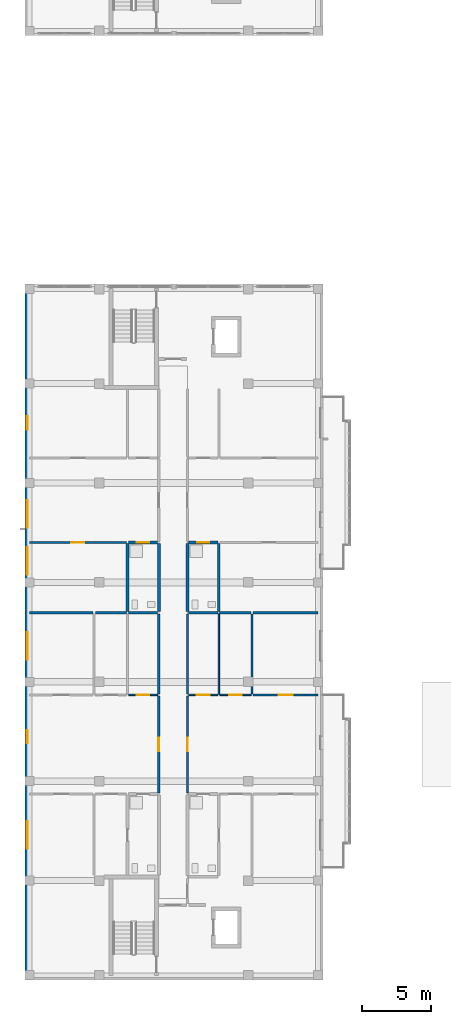
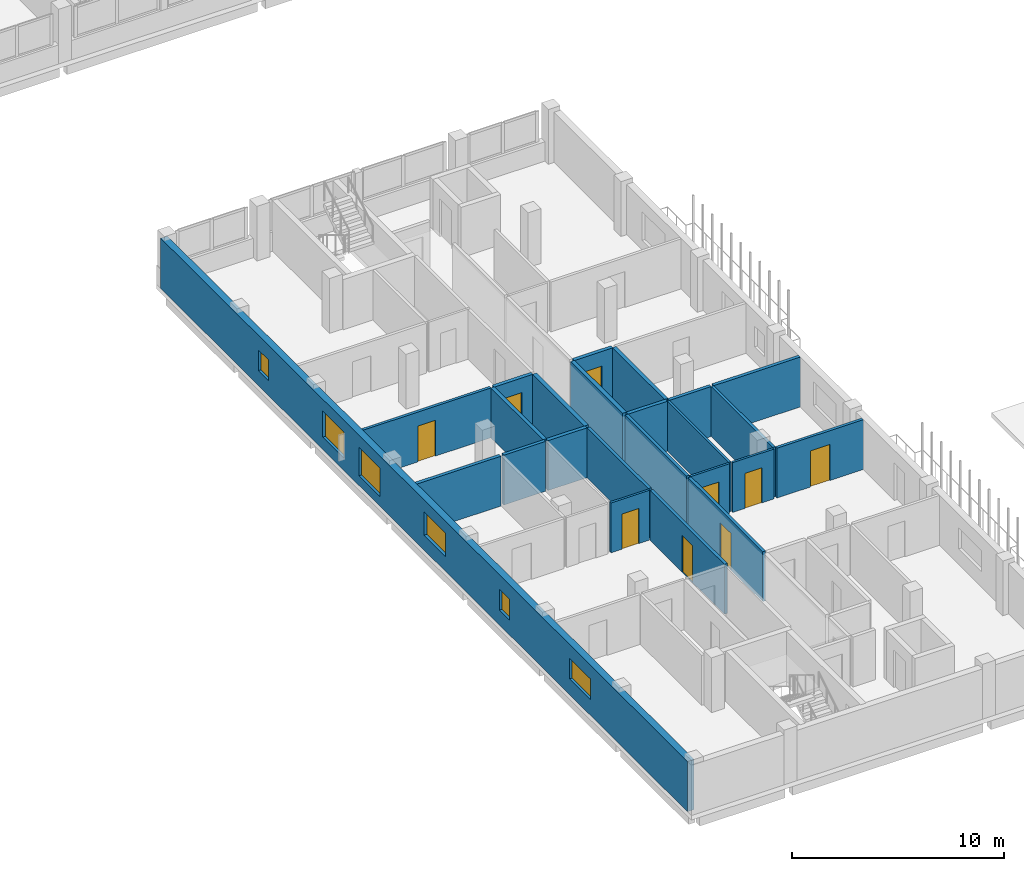
# One storey, part 25 of 51: 24 walls, 9 doors, 6 windows, 15 openings.
"""IFC4 building model written with IfcOpenShell, lengths in metres."""

from ifc_helpers import new_model, si_unit, derived_unit, direction, frame, frame_2d, origin, place, context, subcontext, project, spatial, rectangle, extrude, material, layer, layer_set, type_object, element, fill, save


model = new_model("IFC4")

# Units and contexts
model_context = context("Model", 3, precision=1e-05, world=origin(), true_north=direction((0.0, 1.0)))
body_context = subcontext(model_context, "Body", "Model", "MODEL_VIEW")
ifc_project = project(units=[si_unit("LENGTHUNIT", "METRE"), si_unit("AREAUNIT", "SQUARE_METRE"), si_unit("VOLUMEUNIT", "CUBIC_METRE"), si_unit("PLANEANGLEUNIT", "RADIAN"), si_unit("MASSUNIT", "GRAM", prefix="KILO"), derived_unit("THERMALTRANSMITTANCEUNIT", [(si_unit("MASSUNIT", "GRAM", prefix="KILO"), 1), (si_unit("TIMEUNIT", "SECOND"), -3), (si_unit("THERMODYNAMICTEMPERATUREUNIT", "KELVIN"), -1)])], contexts=[model_context])

# Site, building, storey
site_placement = place(None, origin())
site = spatial("IfcSite", under=ifc_project, at=site_placement, CompositionType="ELEMENT")
building_placement = place(site_placement, origin())
building = spatial("IfcBuilding", under=site, at=building_placement, Name="Ochrekiln Boulevard Commons", CompositionType="ELEMENT")
storey_placement = place(building_placement, frame((0.0, 0.0, 15.22509765625)))
storey = spatial("IfcBuildingStorey", under=building, at=storey_placement, Name="L04", CompositionType="ELEMENT", Elevation=15.22509765625)

# Wall, openings, windows
ifc_material_1 = material(Name="Iron-spot brown clinker brick masonry ASTM C216 Grade SW", Category="masonry")
ifc_layer_1 = layer(ifc_material_1, 0.364990234375)
ifc_layer_set_1 = layer_set([ifc_layer_1], Name="Iron-spot brown clinker brick masonry ASTM C216 Grade SW")
wall_type_1 = type_object("IfcWallType", Name="WL-EXT-IRON-365", PredefinedType="SOLIDWALL", material=ifc_layer_set_1)
wall_1_placement = place(storey_placement, frame((0.1826171875, 0.364990234375, 0.0), z_axis=(0.0, 0.0, 1.0), x_axis=(0.0, 1.0, 0.0)))
wall_1 = element("IfcWall", 1, at=wall_1_placement, inside=storey, type_object=wall_type_1, Name="Block D L04 W Exterior Wall", PredefinedType="SOLIDWALL", context=body_context, shape_type="SweptSolid", body=[
    extrude(rectangle(XDim=49.669921875, YDim=0.364990234375, at=frame_2d((24.8349609375, 0.0))), origin(), (0.0, 0.0, 1.0), 2.889892578125),
])
opening_1_placement = place(wall_1_placement, frame((16.781982421875, 0.0, 0.85009765625)))
opening_1 = element("IfcOpeningElement", 2, at=opening_1_placement, cuts=wall_1, Name="Opening W-01", PredefinedType="OPENING", context=body_context, shape_type="SweptSolid", body=[
    extrude(rectangle(XDim=0.949951171875, YDim=1.199951171875, at=frame_2d((0.47509765625, 0.60009765625))), frame((0.0, 0.1923828125, 0.0), z_axis=(0.0, -1.0, 0.0), x_axis=(1.0, 0.0, 0.0)), (0.0, 0.0, 1.0), 0.385009765625),
])
opening_2_placement = place(wall_1_placement, frame((9.126953125, 0.0, 0.89990234375)))
opening_2 = element("IfcOpeningElement", 3, at=opening_2_placement, cuts=wall_1, Name="Opening W-46", PredefinedType="OPENING", context=body_context, shape_type="SweptSolid", body=[
    extrude(rectangle(XDim=2.0, YDim=1.199951171875, at=frame_2d((1.0, 0.60009765625))), frame((0.0, 0.1923828125, 0.0), z_axis=(0.0, -1.0, 0.0), x_axis=(1.0, 0.0, 0.0)), (0.0, 0.0, 1.0), 0.385009765625),
])
opening_3_placement = place(wall_1_placement, frame((22.8291015625, 0.0, 0.85498046875)))
opening_3 = element("IfcOpeningElement", 4, at=opening_3_placement, cuts=wall_1, Name="Opening W-47", PredefinedType="OPENING", context=body_context, shape_type="SweptSolid", body=[
    extrude(rectangle(XDim=2.0, YDim=1.35009765625, at=frame_2d((1.0, 0.675048828125))), frame((0.0, 0.1923828125, 0.0), z_axis=(0.0, -1.0, 0.0), x_axis=(1.0, 0.0, 0.0)), (0.0, 0.0, 1.0), 0.385009765625),
])
opening_4_placement = place(wall_1_placement, frame((32.385009765625, 0.0, 0.705078125)))
opening_4 = element("IfcOpeningElement", 5, at=opening_4_placement, cuts=wall_1, Name="Opening W-48", PredefinedType="OPENING", context=body_context, shape_type="SweptSolid", body=[
    extrude(rectangle(XDim=2.0, YDim=1.5, at=frame_2d((1.0, 0.75))), frame((0.0, 0.1923828125, 0.0), z_axis=(0.0, -1.0, 0.0), x_axis=(1.0, 0.0, 0.0)), (0.0, 0.0, 1.0), 0.385009765625),
])
opening_5_placement = place(wall_1_placement, frame((28.97509765625, 0.0, 0.554931640625)))
opening_5 = element("IfcOpeningElement", 6, at=opening_5_placement, cuts=wall_1, Name="Opening W-49", PredefinedType="OPENING", context=body_context, shape_type="SweptSolid", body=[
    extrude(rectangle(XDim=2.0, YDim=1.64990234375, at=frame_2d((1.0, 0.824951171875))), frame((0.0, 0.1923828125, 0.0), z_axis=(0.0, -1.0, 0.0), x_axis=(1.0, 0.0, 0.0)), (0.0, 0.0, 1.0), 0.385009765625),
])
opening_6_placement = place(wall_1_placement, frame((39.50390625, 0.0, 0.85009765625)))
opening_6 = element("IfcOpeningElement", 7, at=opening_6_placement, cuts=wall_1, Name="Opening W-01", PredefinedType="OPENING", context=body_context, shape_type="SweptSolid", body=[
    extrude(rectangle(XDim=0.949951171875, YDim=1.199951171875, at=frame_2d((0.47509765625, 0.60009765625))), frame((0.0, 0.1923828125, 0.0), z_axis=(0.0, -1.0, 0.0), x_axis=(1.0, 0.0, 0.0)), (0.0, 0.0, 1.0), 0.385009765625),
])
ifc_material_2 = material(Name="Thermally broken aluminium-clad oak frame", Category="aluminium")
window_type_1 = type_object("IfcWindowType", Name="WIN-EXT-01", PartitioningType="SINGLE_PANEL", PredefinedType="WINDOW", material=ifc_material_2)
window_1_placement = place(opening_1_placement, origin())
window_1 = element("IfcWindow", 8, at=window_1_placement, inside=storey, type_object=window_type_1, Name="Block D L04 Punched Masonry Window W-01", OverallHeight=1.199951171875, OverallWidth=0.949951171875, PartitioningType="SINGLE_PANEL", PredefinedType="WINDOW", context=body_context, shape_type="SweptSolid", body=[
    extrude(rectangle(XDim=0.949951171875, YDim=1.199951171875, at=frame_2d((0.47509765625, 0.60009765625))), frame((0.0, 0.030029296875, 0.0), z_axis=(0.0, -1.0, 0.0), x_axis=(1.0, 0.0, 0.0)), (0.0, 0.0, 1.0), 0.06005859375),
])
fill(opening_1, window_1)
window_2_placement = place(opening_6_placement, origin())
window_2 = element("IfcWindow", 9, at=window_2_placement, inside=storey, type_object=window_type_1, Name="Block D L04 Punched Masonry Window W-01", OverallHeight=1.199951171875, OverallWidth=0.949951171875, PartitioningType="SINGLE_PANEL", PredefinedType="WINDOW", context=body_context, shape_type="SweptSolid", body=[
    extrude(rectangle(XDim=0.949951171875, YDim=1.199951171875, at=frame_2d((0.47509765625, 0.60009765625))), frame((0.0, 0.030029296875, 0.0), z_axis=(0.0, -1.0, 0.0), x_axis=(1.0, 0.0, 0.0)), (0.0, 0.0, 1.0), 0.06005859375),
])
fill(opening_6, window_2)
window_type_2 = type_object("IfcWindowType", Name="WIN-EXT-46", PartitioningType="DOUBLE_PANEL_VERTICAL", PredefinedType="WINDOW", material=ifc_material_2)
window_3_placement = place(opening_2_placement, origin())
window_3 = element("IfcWindow", 10, at=window_3_placement, inside=storey, type_object=window_type_2, Name="Block D L04 Punched Masonry Window W-46", OverallHeight=1.199951171875, OverallWidth=2.0, PartitioningType="DOUBLE_PANEL_VERTICAL", PredefinedType="WINDOW", context=body_context, shape_type="SweptSolid", body=[
    extrude(rectangle(XDim=2.0, YDim=1.199951171875, at=frame_2d((1.0, 0.60009765625))), frame((0.0, 0.030029296875, 0.0), z_axis=(0.0, -1.0, 0.0), x_axis=(1.0, 0.0, 0.0)), (0.0, 0.0, 1.0), 0.06005859375),
])
fill(opening_2, window_3)
window_type_3 = type_object("IfcWindowType", Name="WIN-EXT-47", PartitioningType="DOUBLE_PANEL_VERTICAL", PredefinedType="WINDOW", material=ifc_material_2)
window_4_placement = place(opening_3_placement, origin())
window_4 = element("IfcWindow", 11, at=window_4_placement, inside=storey, type_object=window_type_3, Name="Block D L04 Punched Masonry Window W-47", OverallHeight=1.35009765625, OverallWidth=2.0, PartitioningType="DOUBLE_PANEL_VERTICAL", PredefinedType="WINDOW", context=body_context, shape_type="SweptSolid", body=[
    extrude(rectangle(XDim=2.0, YDim=1.35009765625, at=frame_2d((1.0, 0.675048828125))), frame((0.0, 0.030029296875, 0.0), z_axis=(0.0, -1.0, 0.0), x_axis=(1.0, 0.0, 0.0)), (0.0, 0.0, 1.0), 0.06005859375),
])
fill(opening_3, window_4)
window_type_4 = type_object("IfcWindowType", Name="WIN-EXT-48", PartitioningType="DOUBLE_PANEL_VERTICAL", PredefinedType="WINDOW", material=ifc_material_2)
window_5_placement = place(opening_4_placement, origin())
window_5 = element("IfcWindow", 12, at=window_5_placement, inside=storey, type_object=window_type_4, Name="Block D L04 Punched Masonry Window W-48", OverallHeight=1.5, OverallWidth=2.0, PartitioningType="DOUBLE_PANEL_VERTICAL", PredefinedType="WINDOW", context=body_context, shape_type="SweptSolid", body=[
    extrude(rectangle(XDim=2.0, YDim=1.5, at=frame_2d((1.0, 0.75))), frame((0.0, 0.030029296875, 0.0), z_axis=(0.0, -1.0, 0.0), x_axis=(1.0, 0.0, 0.0)), (0.0, 0.0, 1.0), 0.06005859375),
])
fill(opening_4, window_5)
window_type_5 = type_object("IfcWindowType", Name="WIN-EXT-49", PartitioningType="DOUBLE_PANEL_VERTICAL", PredefinedType="WINDOW", material=ifc_material_2)
window_6_placement = place(opening_5_placement, origin())
window_6 = element("IfcWindow", 13, at=window_6_placement, inside=storey, type_object=window_type_5, Name="Block D L04 Punched Masonry Window W-49", OverallHeight=1.64990234375, OverallWidth=2.0, PartitioningType="DOUBLE_PANEL_VERTICAL", PredefinedType="WINDOW", context=body_context, shape_type="SweptSolid", body=[
    extrude(rectangle(XDim=2.0, YDim=1.64990234375, at=frame_2d((1.0, 0.824951171875))), frame((0.0, 0.030029296875, 0.0), z_axis=(0.0, -1.0, 0.0), x_axis=(1.0, 0.0, 0.0)), (0.0, 0.0, 1.0), 0.06005859375),
])
fill(opening_5, window_6)

# Wall
ifc_material_3 = material(Name="Moisture-resistant cementitious tile backer wall")
ifc_layer_2 = layer(ifc_material_3, 0.199951171875)
ifc_layer_set_2 = layer_set([ifc_layer_2], Name="Moisture-resistant cementitious tile backer wall")
wall_type_2 = type_object("IfcWallType", Name="WL-PLM-200", PredefinedType="PLUMBINGWALL", material=ifc_layer_set_2)
wall_2_placement = place(storey_placement, frame((7.5, 26.60791015625, 0.0), z_axis=(0.0, 0.0, 1.0), x_axis=(1.0, 0.0, 0.0)))
element("IfcWall", 14, at=wall_2_placement, inside=storey, type_object=wall_type_2, Name="L04 Interior Wall W-PW200", PredefinedType="PLUMBINGWALL", context=body_context, shape_type="SweptSolid", body=[
    extrude(rectangle(XDim=2.1279296875, YDim=0.199951171875, at=frame_2d((1.06396484375, 0.0))), origin(), (0.0, 0.0, 1.0), 2.869873046875),
])

# Wall, opening, door
wall_3_placement = place(storey_placement, frame((7.52001953125, 31.68994140625, 0.0), z_axis=(0.0, 0.0, 1.0), x_axis=(1.0, 0.0, 0.0)))
wall_3 = element("IfcWall", 15, at=wall_3_placement, inside=storey, type_object=wall_type_2, Name="L04 Interior Wall W-PW200", PredefinedType="PLUMBINGWALL", context=body_context, shape_type="SweptSolid", body=[
    extrude(rectangle(XDim=2.10791015625, YDim=0.199951171875, at=frame_2d((1.053955078125, 0.0))), origin(), (0.0, 0.0, 1.0), 2.869873046875),
])
opening_7_placement = place(wall_3_placement, frame((0.60498046875, 0.0, 0.0)))
opening_7 = element("IfcOpeningElement", 16, at=opening_7_placement, cuts=wall_3, Name="Opening D-L04-662", PredefinedType="OPENING", context=body_context, shape_type="SweptSolid", body=[
    extrude(rectangle(XDim=0.889892578125, YDim=2.030029296875, at=frame_2d((0.44482421875, 1.01513671875))), frame((0.0, 0.10986328125, 0.0), z_axis=(0.0, -1.0, 0.0), x_axis=(1.0, 0.0, 0.0)), (0.0, 0.0, 1.0), 0.219970703125),
])
ifc_material_4 = material(Name="Solid core architectural oak door leaf")
door_type_1 = type_object("IfcDoorType", Name="DR-INT-BTH-089", OperationType="NOTDEFINED", PredefinedType="DOOR", material=ifc_material_4)
door_1_placement = place(opening_7_placement, frame((0.889892578125, 0.0, 0.0), z_axis=(0.0, 0.0, 1.0), x_axis=(-1.0, 0.0, 0.0)))
door_1 = element("IfcDoor", 17, at=door_1_placement, inside=storey, type_object=door_type_1, Name="L04 Interior Door to Apartment Bathroom", OperationType="SINGLE_SWING_RIGHT", OverallHeight=2.030029296875, OverallWidth=0.889892578125, PredefinedType="DOOR", context=body_context, shape_type="SweptSolid", body=[
    extrude(rectangle(XDim=0.889892578125, YDim=2.030029296875, at=frame_2d((0.44482421875, 1.01513671875))), frame((0.0, 0.02490234375, 0.0), z_axis=(0.0, -1.0, 0.0), x_axis=(1.0, 0.0, 0.0)), (0.0, 0.0, 1.0), 0.050048828125),
])
fill(opening_7, door_1)

# Walls
wall_4_placement = place(storey_placement, frame((7.43994140625, 26.697998046875, 0.0), z_axis=(0.0, 0.0, 1.0), x_axis=(0.0, 1.0, 0.0)))
element("IfcWall", 18, at=wall_4_placement, inside=storey, type_object=wall_type_2, Name="L04 Interior Wall W-PW200", PredefinedType="PLUMBINGWALL", context=body_context, shape_type="SweptSolid", body=[
    extrude(rectangle(XDim=4.9169921875, YDim=0.199951171875, at=frame_2d((2.45849609375, 0.0))), origin(), (0.0, 0.0, 1.0), 2.869873046875),
])
wall_5_placement = place(storey_placement, frame((11.8720703125, 26.60791015625, 0.0), z_axis=(0.0, 0.0, 1.0), x_axis=(1.0, 0.0, 0.0)))
element("IfcWall", 19, at=wall_5_placement, inside=storey, type_object=wall_type_2, Name="L04 Interior Wall W-PW200", PredefinedType="PLUMBINGWALL", context=body_context, shape_type="SweptSolid", body=[
    extrude(rectangle(XDim=2.1279296875, YDim=0.199951171875, at=frame_2d((1.06396484375, 0.0))), origin(), (0.0, 0.0, 1.0), 2.869873046875),
])

# Wall, opening, door
wall_6_placement = place(storey_placement, frame((11.8720703125, 31.68994140625, 0.0), z_axis=(0.0, 0.0, 1.0), x_axis=(1.0, 0.0, 0.0)))
wall_6 = element("IfcWall", 20, at=wall_6_placement, inside=storey, type_object=wall_type_2, Name="L04 Interior Wall W-PW200", PredefinedType="PLUMBINGWALL", context=body_context, shape_type="SweptSolid", body=[
    extrude(rectangle(XDim=2.10791015625, YDim=0.199951171875, at=frame_2d((1.053955078125, 0.0))), origin(), (0.0, 0.0, 1.0), 2.869873046875),
])
opening_8_placement = place(wall_6_placement, frame((0.613037109375, 0.0, 0.0)))
opening_8 = element("IfcOpeningElement", 21, at=opening_8_placement, cuts=wall_6, Name="Opening D-L04-673", PredefinedType="OPENING", context=body_context, shape_type="SweptSolid", body=[
    extrude(rectangle(XDim=0.889892578125, YDim=2.030029296875, at=frame_2d((0.44482421875, 1.01513671875))), frame((0.0, 0.10986328125, 0.0), z_axis=(0.0, -1.0, 0.0), x_axis=(1.0, 0.0, 0.0)), (0.0, 0.0, 1.0), 0.219970703125),
])
door_2_placement = place(opening_8_placement, frame((0.889892578125, 0.0, 0.0), z_axis=(0.0, 0.0, 1.0), x_axis=(-1.0, 0.0, 0.0)))
door_2 = element("IfcDoor", 22, at=door_2_placement, inside=storey, type_object=door_type_1, Name="L04 Interior Door to Apartment Bathroom", OperationType="SINGLE_SWING_LEFT", OverallHeight=2.030029296875, OverallWidth=0.889892578125, PredefinedType="DOOR", context=body_context, shape_type="SweptSolid", body=[
    extrude(rectangle(XDim=0.889892578125, YDim=2.030029296875, at=frame_2d((0.44482421875, 1.01513671875))), frame((0.0, 0.02490234375, 0.0), z_axis=(0.0, -1.0, 0.0), x_axis=(1.0, 0.0, 0.0)), (0.0, 0.0, 1.0), 0.050048828125),
])
fill(opening_8, door_2)

# Walls
wall_7_placement = place(storey_placement, frame((14.06005859375, 26.697998046875, 0.0), z_axis=(0.0, 0.0, 1.0), x_axis=(0.0, 1.0, 0.0)))
element("IfcWall", 23, at=wall_7_placement, inside=storey, type_object=wall_type_2, Name="L04 Interior Wall W-PW200", PredefinedType="PLUMBINGWALL", context=body_context, shape_type="SweptSolid", body=[
    extrude(rectangle(XDim=4.9169921875, YDim=0.199951171875, at=frame_2d((2.45849609375, 0.0))), origin(), (0.0, 0.0, 1.0), 2.869873046875),
])
ifc_layer_3 = layer(ifc_material_3, 0.219970703125)
ifc_layer_set_3 = layer_set([ifc_layer_3], Name="Moisture-resistant cementitious tile backer wall")
wall_type_3 = type_object("IfcWallType", Name="WL-PLM-220", PredefinedType="PLUMBINGWALL", material=ifc_layer_set_3)
for number, where, z_axis, x_axis, name in (
    (24, (9.7099609375, 26.697998046875, 0.0), (0.0, 0.0, 1.0), (0.0, 1.0, 0.0), "L04 Interior Wall W-PW220"),
    (25, (11.7900390625, 26.697998046875, 0.0), (0.0, 0.0, 1.0), (0.0, 1.0, 0.0), "L04 Interior Wall W-PW220"),
):
    element("IfcWall", number, at=place(storey_placement, frame(where, z_axis=z_axis, x_axis=x_axis)), inside=storey, type_object=wall_type_3, Name=name, PredefinedType="PLUMBINGWALL", context=body_context, shape_type="SweptSolid", body=[
        extrude(rectangle(XDim=4.912109375, YDim=0.219970703125, at=frame_2d((2.4560546875, 0.0))), origin(), (0.0, 0.0, 1.0), 2.869873046875),
    ])

# Wall, opening, door
ifc_material_5 = material(Name="Fire-rated Type X gypsum board on steel studs", Category="steel")
ifc_layer_4 = layer(ifc_material_5, 0.1650390625)
ifc_layer_set_4 = layer_set([ifc_layer_4], Name="Fire-rated Type X gypsum board on steel studs")
wall_type_4 = type_object("IfcWallType", Name="WL-PT-CORR-165", PredefinedType="PARTITIONING", material=ifc_layer_set_4)
wall_8_placement = place(storey_placement, frame((9.7099609375, 13.544921875, 0.0), z_axis=(0.0, 0.0, 1.0), x_axis=(0.0, 1.0, 0.0)))
wall_8 = element("IfcWall", 26, at=wall_8_placement, inside=storey, type_object=wall_type_4, Name="L04 Interior Wall W-PC165", PredefinedType="PARTITIONING", context=body_context, shape_type="SweptSolid", body=[
    extrude(rectangle(XDim=7.028076171875, YDim=0.1650390625, at=frame_2d((3.51416015625, 0.0))), origin(), (0.0, 0.0, 1.0), 2.869873046875),
])
opening_9_placement = place(wall_8_placement, frame((3.009033203125, 0.0, 0.0)))
opening_9 = element("IfcOpeningElement", 27, at=opening_9_placement, cuts=wall_8, Name="Opening D-L04-651", PredefinedType="OPENING", context=body_context, shape_type="SweptSolid", body=[
    extrude(rectangle(XDim=1.010009765625, YDim=2.110107421875, at=frame_2d((0.5048828125, 1.05517578125))), frame((0.0, 0.092529296875, 0.0), z_axis=(0.0, -1.0, 0.0), x_axis=(1.0, 0.0, 0.0)), (0.0, 0.0, 1.0), 0.18505859375),
])
door_type_2 = type_object("IfcDoorType", Name="DR-INT-APT-101", OperationType="NOTDEFINED", PredefinedType="DOOR", material=ifc_material_4)
door_3_placement = place(opening_9_placement, origin())
door_3 = element("IfcDoor", 28, at=door_3_placement, inside=storey, type_object=door_type_2, Name="L04 Interior Door to Two-Bedroom Apartment Living Room", OperationType="SINGLE_SWING_LEFT", OverallHeight=2.110107421875, OverallWidth=1.010009765625, PredefinedType="DOOR", context=body_context, shape_type="SweptSolid", body=[
    extrude(rectangle(XDim=1.010009765625, YDim=2.110107421875, at=frame_2d((0.5048828125, 1.05517578125))), frame((0.0, 0.02490234375, 0.0), z_axis=(0.0, -1.0, 0.0), x_axis=(1.0, 0.0, 0.0)), (0.0, 0.0, 1.0), 0.050048828125),
])
fill(opening_9, door_3)

# Wall
wall_9_placement = place(storey_placement, frame((9.7099609375, 20.73291015625, 0.0), z_axis=(0.0, 0.0, 1.0), x_axis=(0.0, 1.0, 0.0)))
element("IfcWall", 29, at=wall_9_placement, inside=storey, type_object=wall_type_4, Name="L04 Interior Wall W-PC165", PredefinedType="PARTITIONING", context=body_context, shape_type="SweptSolid", body=[
    extrude(rectangle(XDim=5.78515625, YDim=0.1650390625, at=frame_2d((2.892578125, 0.0))), origin(), (0.0, 0.0, 1.0), 2.869873046875),
])

# Wall, opening, door
wall_10_placement = place(storey_placement, frame((11.7900390625, 13.544921875, 0.0), z_axis=(0.0, 0.0, 1.0), x_axis=(0.0, 1.0, 0.0)))
wall_10 = element("IfcWall", 30, at=wall_10_placement, inside=storey, type_object=wall_type_4, Name="L04 Interior Wall W-PC165", PredefinedType="PARTITIONING", context=body_context, shape_type="SweptSolid", body=[
    extrude(rectangle(XDim=7.028076171875, YDim=0.1650390625, at=frame_2d((3.51416015625, 0.0))), origin(), (0.0, 0.0, 1.0), 2.869873046875),
])
opening_10_placement = place(wall_10_placement, frame((3.009033203125, 0.0, 0.0)))
opening_10 = element("IfcOpeningElement", 31, at=opening_10_placement, cuts=wall_10, Name="Opening D-L04-653", PredefinedType="OPENING", context=body_context, shape_type="SweptSolid", body=[
    extrude(rectangle(XDim=1.010009765625, YDim=2.110107421875, at=frame_2d((0.5048828125, 1.05517578125))), frame((0.0, 0.092529296875, 0.0), z_axis=(0.0, -1.0, 0.0), x_axis=(1.0, 0.0, 0.0)), (0.0, 0.0, 1.0), 0.18505859375),
])
door_4_placement = place(opening_10_placement, frame((1.010009765625, 0.0, 0.0), z_axis=(0.0, 0.0, 1.0), x_axis=(-1.0, 0.0, 0.0)))
door_4 = element("IfcDoor", 32, at=door_4_placement, inside=storey, type_object=door_type_2, Name="L04 Interior Door to Two-Bedroom Apartment Living Room", OperationType="SINGLE_SWING_LEFT", OverallHeight=2.110107421875, OverallWidth=1.010009765625, PredefinedType="DOOR", context=body_context, shape_type="SweptSolid", body=[
    extrude(rectangle(XDim=1.010009765625, YDim=2.110107421875, at=frame_2d((0.5048828125, 1.05517578125))), frame((0.0, 0.02490234375, 0.0), z_axis=(0.0, -1.0, 0.0), x_axis=(1.0, 0.0, 0.0)), (0.0, 0.0, 1.0), 0.050048828125),
])
fill(opening_10, door_4)

# Walls
wall_11_placement = place(storey_placement, frame((11.7900390625, 20.73291015625, 0.0), z_axis=(0.0, 0.0, 1.0), x_axis=(0.0, 1.0, 0.0)))
element("IfcWall", 33, at=wall_11_placement, inside=storey, type_object=wall_type_4, Name="L04 Interior Wall W-PC165", PredefinedType="PARTITIONING", context=body_context, shape_type="SweptSolid", body=[
    extrude(rectangle(XDim=5.78515625, YDim=0.1650390625, at=frame_2d((2.892578125, 0.0))), origin(), (0.0, 0.0, 1.0), 2.869873046875),
])
ifc_layer_5 = layer(ifc_material_5, 0.179931640625)
ifc_layer_set_5 = layer_set([ifc_layer_5], Name="Fire-rated Type X gypsum board on steel studs")
wall_type_5 = type_object("IfcWallType", Name="WL-PT-DEM-180", PredefinedType="PARTITIONING", material=ifc_layer_set_5)
wall_12_placement = place(storey_placement, frame((0.35009765625, 26.60791015625, 0.0), z_axis=(0.0, 0.0, 1.0), x_axis=(1.0, 0.0, 0.0)))
element("IfcWall", 34, at=wall_12_placement, inside=storey, type_object=wall_type_5, Name="L04 Interior Wall W-PD180", PredefinedType="PARTITIONING", context=body_context, shape_type="SweptSolid", body=[
    extrude(rectangle(XDim=4.599853515625, YDim=0.179931640625, at=frame_2d((2.2998046875, 0.0))), origin(), (0.0, 0.0, 1.0), 2.869873046875),
])
wall_13_placement = place(storey_placement, frame((5.110107421875, 26.60791015625, 0.0), z_axis=(0.0, 0.0, 1.0), x_axis=(1.0, 0.0, 0.0)))
element("IfcWall", 35, at=wall_13_placement, inside=storey, type_object=wall_type_5, Name="L04 Interior Wall W-PD180", PredefinedType="PARTITIONING", context=body_context, shape_type="SweptSolid", body=[
    extrude(rectangle(XDim=2.269775390625, YDim=0.179931640625, at=frame_2d((1.134765625, 0.0))), origin(), (0.0, 0.0, 1.0), 2.869873046875),
])
wall_14_placement = place(storey_placement, frame((16.544921875, 26.60791015625, 0.0), z_axis=(0.0, 0.0, 1.0), x_axis=(1.0, 0.0, 0.0)))
element("IfcWall", 36, at=wall_14_placement, inside=storey, type_object=wall_type_5, Name="L04 Interior Wall W-PD180", PredefinedType="PARTITIONING", context=body_context, shape_type="SweptSolid", body=[
    extrude(rectangle(XDim=4.705078125, YDim=0.179931640625, at=frame_2d((2.3525390625, 0.0))), origin(), (0.0, 0.0, 1.0), 2.869873046875),
])
wall_15_placement = place(storey_placement, frame((14.1201171875, 26.60791015625, 0.0), z_axis=(0.0, 0.0, 1.0), x_axis=(1.0, 0.0, 0.0)))
element("IfcWall", 37, at=wall_15_placement, inside=storey, type_object=wall_type_5, Name="L04 Interior Wall W-PD180", PredefinedType="PARTITIONING", context=body_context, shape_type="SweptSolid", body=[
    extrude(rectangle(XDim=2.269775390625, YDim=0.179931640625, at=frame_2d((1.134765625, 0.0))), origin(), (0.0, 0.0, 1.0), 2.869873046875),
])

# Wall, opening, door
ifc_layer_6 = layer(ifc_material_5, 0.1201171875)
ifc_layer_set_6 = layer_set([ifc_layer_6], Name="Fire-rated Type X gypsum board on steel studs")
wall_type_6 = type_object("IfcWallType", Name="WL-PT-LGT-120", PredefinedType="PARTITIONING", material=ifc_layer_set_6)
wall_16_placement = place(storey_placement, frame((7.52001953125, 20.653076171875, 0.0), z_axis=(0.0, 0.0, 1.0), x_axis=(1.0, 0.0, 0.0)))
wall_16 = element("IfcWall", 38, at=wall_16_placement, inside=storey, type_object=wall_type_6, Name="L04 Interior Wall W-PL120", PredefinedType="PARTITIONING", context=body_context, shape_type="SweptSolid", body=[
    extrude(rectangle(XDim=2.10791015625, YDim=0.1201171875, at=frame_2d((1.053955078125, 0.0))), origin(), (0.0, 0.0, 1.0), 2.869873046875),
])
opening_11_placement = place(wall_16_placement, frame((0.590087890625, 0.0, 0.0)))
opening_11 = element("IfcOpeningElement", 39, at=opening_11_placement, cuts=wall_16, Name="Opening D-L04-656", PredefinedType="OPENING", context=body_context, shape_type="SweptSolid", body=[
    extrude(rectangle(XDim=0.919921875, YDim=2.02001953125, at=frame_2d((0.4599609375, 1.010009765625))), frame((0.0, 0.070068359375, 0.0), z_axis=(0.0, -1.0, 0.0), x_axis=(1.0, 0.0, 0.0)), (0.0, 0.0, 1.0), 0.14013671875),
])
door_type_3 = type_object("IfcDoorType", Name="DR-INT-KIT-092", OperationType="NOTDEFINED", PredefinedType="DOOR", material=ifc_material_4)
door_5_placement = place(opening_11_placement, origin())
door_5 = element("IfcDoor", 40, at=door_5_placement, inside=storey, type_object=door_type_3, Name="L04 Interior Door to Apartment Kitchen", OperationType="SINGLE_SWING_RIGHT", OverallHeight=2.02001953125, OverallWidth=0.919921875, PredefinedType="DOOR", context=body_context, shape_type="SweptSolid", body=[
    extrude(rectangle(XDim=0.919921875, YDim=2.02001953125, at=frame_2d((0.4599609375, 1.010009765625))), frame((0.0, 0.02490234375, 0.0), z_axis=(0.0, -1.0, 0.0), x_axis=(1.0, 0.0, 0.0)), (0.0, 0.0, 1.0), 0.050048828125),
])
fill(opening_11, door_5)

wall_17_placement = place(storey_placement, frame((11.8720703125, 20.653076171875, 0.0), z_axis=(0.0, 0.0, 1.0), x_axis=(1.0, 0.0, 0.0)))
wall_17 = element("IfcWall", 41, at=wall_17_placement, inside=storey, type_object=wall_type_6, Name="L04 Interior Wall W-PL120", PredefinedType="PARTITIONING", context=body_context, shape_type="SweptSolid", body=[
    extrude(rectangle(XDim=2.10791015625, YDim=0.1201171875, at=frame_2d((1.053955078125, 0.0))), origin(), (0.0, 0.0, 1.0), 2.869873046875),
])
opening_12_placement = place(wall_17_placement, frame((0.597900390625, 0.0, 0.0)))
opening_12 = element("IfcOpeningElement", 42, at=opening_12_placement, cuts=wall_17, Name="Opening D-L04-667", PredefinedType="OPENING", context=body_context, shape_type="SweptSolid", body=[
    extrude(rectangle(XDim=0.919921875, YDim=2.02001953125, at=frame_2d((0.4599609375, 1.010009765625))), frame((0.0, 0.070068359375, 0.0), z_axis=(0.0, -1.0, 0.0), x_axis=(1.0, 0.0, 0.0)), (0.0, 0.0, 1.0), 0.14013671875),
])
door_6_placement = place(opening_12_placement, origin())
door_6 = element("IfcDoor", 43, at=door_6_placement, inside=storey, type_object=door_type_3, Name="L04 Interior Door to Apartment Kitchen", OperationType="SINGLE_SWING_LEFT", OverallHeight=2.02001953125, OverallWidth=0.919921875, PredefinedType="DOOR", context=body_context, shape_type="SweptSolid", body=[
    extrude(rectangle(XDim=0.919921875, YDim=2.02001953125, at=frame_2d((0.4599609375, 1.010009765625))), frame((0.0, 0.02490234375, 0.0), z_axis=(0.0, -1.0, 0.0), x_axis=(1.0, 0.0, 0.0)), (0.0, 0.0, 1.0), 0.050048828125),
])
fill(opening_12, door_6)

wall_18_placement = place(storey_placement, frame((14.139892578125, 20.653076171875, 0.0), z_axis=(0.0, 0.0, 1.0), x_axis=(1.0, 0.0, 0.0)))
wall_18 = element("IfcWall", 44, at=wall_18_placement, inside=storey, type_object=wall_type_6, Name="L04 Interior Wall W-PL120", PredefinedType="PARTITIONING", context=body_context, shape_type="SweptSolid", body=[
    extrude(rectangle(XDim=2.25, YDim=0.1201171875, at=frame_2d((1.125, 0.0))), origin(), (0.0, 0.0, 1.0), 2.869873046875),
])
opening_13_placement = place(wall_18_placement, frame((0.6650390625, 0.0, 0.0)))
opening_13 = element("IfcOpeningElement", 45, at=opening_13_placement, cuts=wall_18, Name="Opening D-L04-671", PredefinedType="OPENING", context=body_context, shape_type="SweptSolid", body=[
    extrude(rectangle(XDim=0.919921875, YDim=2.02001953125, at=frame_2d((0.4599609375, 1.010009765625))), frame((0.0, 0.070068359375, 0.0), z_axis=(0.0, -1.0, 0.0), x_axis=(1.0, 0.0, 0.0)), (0.0, 0.0, 1.0), 0.14013671875),
])
door_7_placement = place(opening_13_placement, origin())
door_7 = element("IfcDoor", 46, at=door_7_placement, inside=storey, type_object=door_type_3, Name="L04 Interior Door to Apartment Walk-In Wardrobe", OperationType="SINGLE_SWING_LEFT", OverallHeight=2.02001953125, OverallWidth=0.919921875, PredefinedType="DOOR", context=body_context, shape_type="SweptSolid", body=[
    extrude(rectangle(XDim=0.919921875, YDim=2.02001953125, at=frame_2d((0.4599609375, 1.010009765625))), frame((0.0, 0.02490234375, 0.0), z_axis=(0.0, -1.0, 0.0), x_axis=(1.0, 0.0, 0.0)), (0.0, 0.0, 1.0), 0.050048828125),
])
fill(opening_13, door_7)

# Wall
wall_19_placement = place(storey_placement, frame((14.06005859375, 20.712890625, 0.0), z_axis=(0.0, 0.0, 1.0), x_axis=(0.0, 1.0, 0.0)))
element("IfcWall", 47, at=wall_19_placement, inside=storey, type_object=wall_type_6, Name="L04 Interior Wall W-PL120", PredefinedType="PARTITIONING", context=body_context, shape_type="SweptSolid", body=[
    extrude(rectangle(XDim=5.80517578125, YDim=0.1201171875, at=frame_2d((2.902587890625, 0.0))), origin(), (0.0, 0.0, 1.0), 2.869873046875),
])

# Wall, opening, door
ifc_layer_7 = layer(ifc_material_5, 0.14990234375)
ifc_layer_set_7 = layer_set([ifc_layer_7], Name="Fire-rated Type X gypsum board on steel studs")
wall_type_7 = type_object("IfcWallType", Name="WL-PT-STD-150", PredefinedType="PARTITIONING", material=ifc_layer_set_7)
wall_20_placement = place(storey_placement, frame((0.35009765625, 31.68994140625, 0.0), z_axis=(0.0, 0.0, 1.0), x_axis=(1.0, 0.0, 0.0)))
wall_20 = element("IfcWall", 48, at=wall_20_placement, inside=storey, type_object=wall_type_7, Name="L04 Interior Wall W-PS150", PredefinedType="PARTITIONING", context=body_context, shape_type="SweptSolid", body=[
    extrude(rectangle(XDim=7.010009765625, YDim=0.14990234375, at=frame_2d((3.5048828125, 0.0))), origin(), (0.0, 0.0, 1.0), 2.869873046875),
])
opening_14_placement = place(wall_20_placement, frame((3.034912109375, 0.0, 0.0)))
opening_14 = element("IfcOpeningElement", 49, at=opening_14_placement, cuts=wall_20, Name="Opening D-L04-664", PredefinedType="OPENING", context=body_context, shape_type="SweptSolid", body=[
    extrude(rectangle(XDim=0.93994140625, YDim=2.06005859375, at=frame_2d((0.469970703125, 1.030029296875))), frame((0.0, 0.0849609375, 0.0), z_axis=(0.0, -1.0, 0.0), x_axis=(1.0, 0.0, 0.0)), (0.0, 0.0, 1.0), 0.169921875),
])
door_type_4 = type_object("IfcDoorType", Name="DR-INT-BED-094", OperationType="NOTDEFINED", PredefinedType="DOOR", material=ifc_material_4)
door_8_placement = place(opening_14_placement, frame((0.93994140625, 0.0, 0.0), z_axis=(0.0, 0.0, 1.0), x_axis=(-1.0, 0.0, 0.0)))
door_8 = element("IfcDoor", 50, at=door_8_placement, inside=storey, type_object=door_type_4, Name="L04 Interior Door to Primary Apartment Bedroom", OperationType="SINGLE_SWING_RIGHT", OverallHeight=2.06005859375, OverallWidth=0.93994140625, PredefinedType="DOOR", context=body_context, shape_type="SweptSolid", body=[
    extrude(rectangle(XDim=0.93994140625, YDim=2.06005859375, at=frame_2d((0.469970703125, 1.030029296875))), frame((0.0, 0.02490234375, 0.0), z_axis=(0.0, -1.0, 0.0), x_axis=(1.0, 0.0, 0.0)), (0.0, 0.0, 1.0), 0.050048828125),
])
fill(opening_14, door_8)

wall_21_placement = place(storey_placement, frame((16.550048828125, 20.653076171875, 0.0), z_axis=(0.0, 0.0, 1.0), x_axis=(1.0, 0.0, 0.0)))
wall_21 = element("IfcWall", 51, at=wall_21_placement, inside=storey, type_object=wall_type_7, Name="L04 Interior Wall W-PS150", PredefinedType="PARTITIONING", context=body_context, shape_type="SweptSolid", body=[
    extrude(rectangle(XDim=4.699951171875, YDim=0.14990234375, at=frame_2d((2.35009765625, 0.0))), origin(), (0.0, 0.0, 1.0), 2.869873046875),
])
opening_15_placement = place(wall_21_placement, frame((1.830078125, 0.0, 0.0)))
opening_15 = element("IfcOpeningElement", 52, at=opening_15_placement, cuts=wall_21, Name="Opening D-L04-670", PredefinedType="OPENING", context=body_context, shape_type="SweptSolid", body=[
    extrude(rectangle(XDim=1.0400390625, YDim=2.080078125, at=frame_2d((0.52001953125, 1.0400390625))), frame((0.0, 0.0849609375, 0.0), z_axis=(0.0, -1.0, 0.0), x_axis=(1.0, 0.0, 0.0)), (0.0, 0.0, 1.0), 0.169921875),
])
door_type_5 = type_object("IfcDoorType", Name="DR-INT-BED-104", OperationType="NOTDEFINED", PredefinedType="DOOR", material=ifc_material_4)
door_9_placement = place(opening_15_placement, origin())
door_9 = element("IfcDoor", 53, at=door_9_placement, inside=storey, type_object=door_type_5, Name="L04 Interior Door to Secondary Apartment Bedroom", OperationType="SINGLE_SWING_RIGHT", OverallHeight=2.080078125, OverallWidth=1.0400390625, PredefinedType="DOOR", context=body_context, shape_type="SweptSolid", body=[
    extrude(rectangle(XDim=1.0400390625, YDim=2.080078125, at=frame_2d((0.52001953125, 1.0400390625))), frame((0.0, 0.02490234375, 0.0), z_axis=(0.0, -1.0, 0.0), x_axis=(1.0, 0.0, 0.0)), (0.0, 0.0, 1.0), 0.050048828125),
])
fill(opening_15, door_9)

# Wall
wall_22_placement = place(storey_placement, frame((16.469970703125, 20.72802734375, 0.0), z_axis=(0.0, 0.0, 1.0), x_axis=(0.0, 1.0, 0.0)))
element("IfcWall", 54, at=wall_22_placement, inside=storey, type_object=wall_type_7, Name="L04 Interior Wall W-PS150", PredefinedType="PARTITIONING", context=body_context, shape_type="SweptSolid", body=[
    extrude(rectangle(XDim=5.7900390625, YDim=0.14990234375, at=frame_2d((2.89501953125, 0.0))), origin(), (0.0, 0.0, 1.0), 2.869873046875),
])

save(model, "model.ifc")
